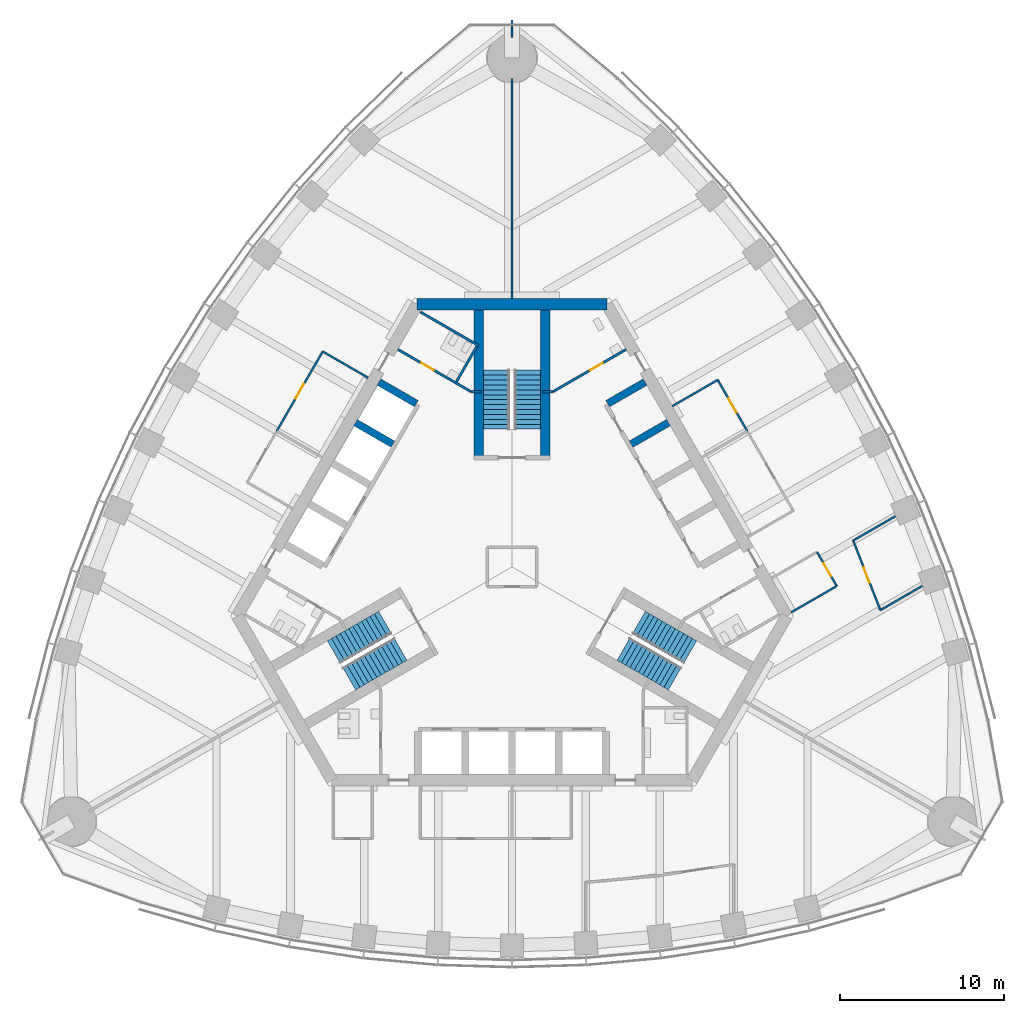
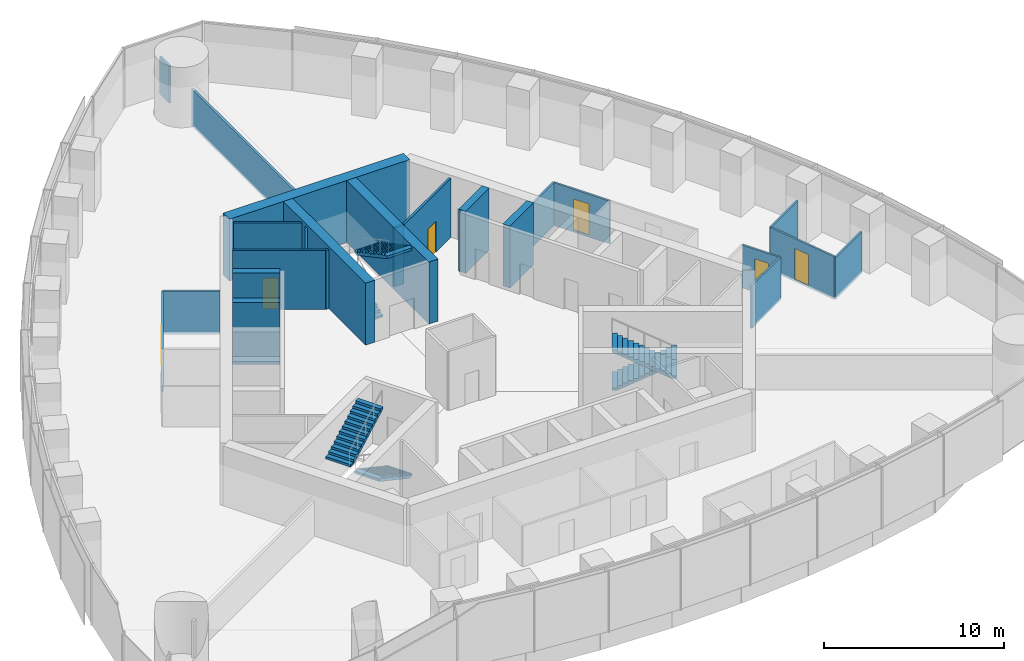
# One storey, part 10 of 14: 24 walls, 6 doors, 6 stair flights, 6 openings, 3 elements without a shape of their own.
"""IFC4 building model written with IfcOpenShell, lengths in metres."""

from ifc_helpers import new_model, si_unit, direction, frame, frame_2d, origin, place, context, subcontext, project, spatial, polyline, rectangle, outline, extrude, material, layer, layer_set, type_object, element, fill, aggregate, save


model = new_model("IFC4")

# Units and contexts
model_context = context("Model", 3, precision=1e-05, world=origin(), true_north=direction((0.0, 1.0)))
body_context = subcontext(model_context, "Body", "Model", "MODEL_VIEW")
ifc_project = project(units=[si_unit("LENGTHUNIT", "METRE"), si_unit("AREAUNIT", "SQUARE_METRE"), si_unit("VOLUMEUNIT", "CUBIC_METRE"), si_unit("PLANEANGLEUNIT", "RADIAN"), si_unit("MASSUNIT", "GRAM", prefix="KILO")], contexts=[model_context])

# Site, building, storey
site_placement = place(None, origin())
site = spatial("IfcSite", under=ifc_project, at=site_placement, CompositionType="ELEMENT")
building_placement = place(site_placement, origin())
building = spatial("IfcBuilding", under=site, at=building_placement, Name="Trefoil Bronze Tower", CompositionType="ELEMENT")
storey_placement = place(building_placement, frame((0.0, 0.0, 280.5)))
storey = spatial("IfcBuildingStorey", under=building, at=storey_placement, Name="L64", CompositionType="ELEMENT", Elevation=280.5)

# Wall
ifc_material_1 = material(Name="Concrete B80", Category="concrete")
ifc_layer_1 = layer(ifc_material_1, 0.699951171875)
ifc_layer_set_1 = layer_set([ifc_layer_1], Name="Core wall 700")
wall_type_1 = type_object("IfcWallType", Name="Core wall 700", PredefinedType="SHEAR", material=ifc_layer_set_1)
wall_1_placement = place(storey_placement, frame((5.7734375, 16.0, 0.0), z_axis=(0.0, 0.0, 1.0), x_axis=(-1.0, 0.0, 0.0)))
element("IfcWall", 1, at=wall_1_placement, inside=storey, type_object=wall_type_1, Name="Core short wall 2 L64", PredefinedType="SHEAR", context=body_context, shape_type="SweptSolid", body=[
    extrude(rectangle(XDim=11.546875, YDim=0.699951171875, at=frame_2d((5.7734375, 0.0))), origin(), (0.0, 0.0, 1.0), 4.199951171875),
])

# Wall, opening, door
ifc_material_2 = material(Name="Glazed partition", Category="glass")
ifc_layer_2 = layer(ifc_material_2, 0.1201171875)
ifc_layer_set_2 = layer_set([ifc_layer_2], Name="Glazed partition 120")
wall_type_2 = type_object("IfcWallType", Name="Glazed partition 120", PredefinedType="PARTITIONING", material=ifc_layer_set_2)
wall_2_placement = place(storey_placement, frame((14.332763671875, 8.27490234375, 0.0), z_axis=(0.0, 0.0, 1.0), x_axis=(-0.500012057535, 0.866018442252, 0.0)))
wall_2 = element("IfcWall", 2, at=wall_2_placement, inside=storey, type_object=wall_type_2, Name="Partition F2 L64", PredefinedType="PARTITIONING", context=body_context, shape_type="SweptSolid", body=[
    extrude(rectangle(XDim=3.60009765625, YDim=0.1201171875, at=frame_2d((1.800048828125, 0.0))), origin(), (0.0, 0.0, 1.0), 2.89990234375),
])
opening_1_placement = place(wall_2_placement, frame((1.300048828125, 0.0, 0.14990234375)))
opening_1 = element("IfcOpeningElement", 3, at=opening_1_placement, cuts=wall_2, Name="Opening D9", PredefinedType="OPENING", context=body_context, shape_type="SweptSolid", body=[
    extrude(rectangle(XDim=1.0, YDim=2.10009765625, at=frame_2d((0.5, 1.050048828125))), frame((0.0, 0.070068359375, 0.0), z_axis=(0.0, -1.0, 0.0), x_axis=(1.0, 0.0, 0.0)), (0.0, 0.0, 1.0), 0.14013671875),
])
ifc_material_3 = material(Name="Glazed timber door", Category="wood")
door_type_1 = type_object("IfcDoorType", Name="Meeting room door 1000", OperationType="SINGLE_SWING_LEFT", PredefinedType="DOOR", material=ifc_material_3)
door_1_placement = place(opening_1_placement, origin())
door_1 = element("IfcDoor", 4, at=door_1_placement, inside=storey, type_object=door_type_1, Name="Meeting room door F2 L64", OperationType="SINGLE_SWING_LEFT", OverallHeight=2.10009765625, OverallWidth=1.0, PredefinedType="DOOR", context=body_context, shape_type="SweptSolid", body=[
    extrude(rectangle(XDim=1.0, YDim=2.10009765625, at=frame_2d((0.5, 1.050048828125))), frame((0.0, 0.02490234375, 0.0), z_axis=(0.0, -1.0, 0.0), x_axis=(1.0, 0.0, 0.0)), (0.0, 0.0, 1.0), 0.050048828125),
])
fill(opening_1, door_1)

wall_3_placement = place(storey_placement, frame((19.78271484375, -1.164794921875, 0.0), z_axis=(0.0, 0.0, 1.0), x_axis=(-0.499957262057, 0.866050077142, 0.0)))
wall_3 = element("IfcWall", 5, at=wall_3_placement, inside=storey, type_object=wall_type_2, Name="Partition F2 L64", PredefinedType="PARTITIONING", context=body_context, shape_type="SweptSolid", body=[
    extrude(rectangle(XDim=2.400146484375, YDim=0.1201171875, at=frame_2d((1.2001953125, 0.0))), origin(), (0.0, 0.0, 1.0), 2.89990234375),
])
opening_2_placement = place(wall_3_placement, frame((0.699951171875, 0.0, 0.14990234375)))
opening_2 = element("IfcOpeningElement", 6, at=opening_2_placement, cuts=wall_3, Name="Opening D8", PredefinedType="OPENING", context=body_context, shape_type="SweptSolid", body=[
    extrude(rectangle(XDim=0.89990234375, YDim=2.10009765625, at=frame_2d((0.449951171875, 1.050048828125))), frame((0.0, 0.070068359375, 0.0), z_axis=(0.0, -1.0, 0.0), x_axis=(1.0, 0.0, 0.0)), (0.0, 0.0, 1.0), 0.14013671875),
])
ifc_material_4 = material(Name="Timber door", Category="wood")
door_type_2 = type_object("IfcDoorType", Name="Office door 900", OperationType="SINGLE_SWING_LEFT", PredefinedType="DOOR", material=ifc_material_4)
door_2_placement = place(opening_2_placement, origin())
door_2 = element("IfcDoor", 7, at=door_2_placement, inside=storey, type_object=door_type_2, Name="Comms room door F2 L64", OperationType="SINGLE_SWING_LEFT", OverallHeight=2.10009765625, OverallWidth=0.89990234375, PredefinedType="DOOR", context=body_context, shape_type="SweptSolid", body=[
    extrude(rectangle(XDim=0.89990234375, YDim=2.10009765625, at=frame_2d((0.449951171875, 1.050048828125))), frame((0.0, 0.02490234375, 0.0), z_axis=(0.0, -1.0, 0.0), x_axis=(1.0, 0.0, 0.0)), (0.0, 0.0, 1.0), 0.050048828125),
])
fill(opening_2, door_2)

# Walls
for number, where, z_axis, x_axis, name in (
    (8, (9.761474609375, 9.792724609375, 0.0), (0.0, 0.0, 1.0), (0.866042017984, 0.499971222258, 0.0), "Partition F2 L64"),
    (9, (17.011474609375, -2.7646484375, 0.0), (0.0, 0.0, 1.0), (0.866042017984, 0.499971222258, 0.0), "Partition F2 L64"),
):
    element("IfcWall", number, at=place(storey_placement, frame(where, z_axis=z_axis, x_axis=x_axis)), inside=storey, type_object=wall_type_2, Name=name, PredefinedType="PARTITIONING", context=body_context, shape_type="SweptSolid", body=[
        extrude(rectangle(XDim=3.199951171875, YDim=0.1201171875, at=frame_2d((1.60009765625, 0.0))), origin(), (0.0, 0.0, 1.0), 2.89990234375),
    ])

# Wall, opening, door
wall_4_placement = place(storey_placement, frame((22.439208984375, -2.63330078125, 0.0), z_axis=(0.0, 0.0, 1.0), x_axis=(-0.363212149153, 0.931706463811, 0.0)))
wall_4 = element("IfcWall", 10, at=wall_4_placement, inside=storey, type_object=wall_type_2, Name="Partition F2 L64", PredefinedType="PARTITIONING", context=body_context, shape_type="SweptSolid", body=[
    extrude(rectangle(XDim=4.552734375, YDim=0.1201171875, at=frame_2d((2.2763671875, 0.0))), origin(), (0.0, 0.0, 1.0), 2.89990234375),
])
opening_3_placement = place(wall_4_placement, frame((1.800048828125, 0.0, 0.14990234375)))
opening_3 = element("IfcOpeningElement", 11, at=opening_3_placement, cuts=wall_4, Name="Opening D9", PredefinedType="OPENING", context=body_context, shape_type="SweptSolid", body=[
    extrude(rectangle(XDim=1.0, YDim=2.10009765625, at=frame_2d((0.5, 1.050048828125))), frame((0.0, 0.070068359375, 0.0), z_axis=(0.0, -1.0, 0.0), x_axis=(1.0, 0.0, 0.0)), (0.0, 0.0, 1.0), 0.14013671875),
])
door_3_placement = place(opening_3_placement, frame((1.0, 0.0, 0.0), z_axis=(0.0, 0.0, 1.0), x_axis=(-1.0, 0.0, 0.0)))
door_3 = element("IfcDoor", 12, at=door_3_placement, inside=storey, type_object=door_type_1, Name="Meeting room door F2 L64", OperationType="SINGLE_SWING_LEFT", OverallHeight=2.10009765625, OverallWidth=1.0, PredefinedType="DOOR", context=body_context, shape_type="SweptSolid", body=[
    extrude(rectangle(XDim=1.0, YDim=2.10009765625, at=frame_2d((0.5, 1.050048828125))), frame((0.0, 0.02490234375, 0.0), z_axis=(0.0, -1.0, 0.0), x_axis=(1.0, 0.0, 0.0)), (0.0, 0.0, 1.0), 0.050048828125),
])
fill(opening_3, door_3)

# Walls
wall_5_placement = place(storey_placement, frame((22.439208984375, -2.63330078125, 0.0), z_axis=(0.0, 0.0, 1.0), x_axis=(0.866019881867, 0.500009564119, 0.0)))
element("IfcWall", 13, at=wall_5_placement, inside=storey, type_object=wall_type_2, Name="Partition F2 L64", PredefinedType="PARTITIONING", context=body_context, shape_type="SweptSolid", body=[
    extrude(rectangle(XDim=2.9443359375, YDim=0.1201171875, at=frame_2d((1.47216796875, 0.0))), origin(), (0.0, 0.0, 1.0), 2.800048828125),
])
wall_6_placement = place(storey_placement, frame((20.78564453125, 1.6083984375, 0.0), z_axis=(0.0, 0.0, 1.0), x_axis=(0.866056430242, 0.499946256749, 0.0)))
element("IfcWall", 14, at=wall_6_placement, inside=storey, type_object=wall_type_2, Name="Partition F2 L64", PredefinedType="PARTITIONING", context=body_context, shape_type="SweptSolid", body=[
    extrude(rectangle(XDim=2.958740234375, YDim=0.1201171875, at=frame_2d((1.4794921875, 0.0))), origin(), (0.0, 0.0, 1.0), 2.89990234375),
])

# Wall, opening, door
wall_7_placement = place(storey_placement, frame((-11.53271484375, 13.124755859375, 0.0), z_axis=(0.0, 0.0, 1.0), x_axis=(-0.49999793692, -0.866026594901, 0.0)))
wall_7 = element("IfcWall", 15, at=wall_7_placement, inside=storey, type_object=wall_type_2, Name="Partition F3 L64", PredefinedType="PARTITIONING", context=body_context, shape_type="SweptSolid", body=[
    extrude(rectangle(XDim=5.60009765625, YDim=0.1201171875, at=frame_2d((2.800048828125, 0.0))), origin(), (0.0, 0.0, 1.0), 2.89990234375),
])
opening_4_placement = place(wall_7_placement, frame((2.300048828125, 0.0, 0.14990234375)))
opening_4 = element("IfcOpeningElement", 16, at=opening_4_placement, cuts=wall_7, Name="Opening D9", PredefinedType="OPENING", context=body_context, shape_type="SweptSolid", body=[
    extrude(rectangle(XDim=1.0, YDim=2.10009765625, at=frame_2d((0.5, 1.050048828125))), frame((0.0, 0.070068359375, 0.0), z_axis=(0.0, -1.0, 0.0), x_axis=(1.0, 0.0, 0.0)), (0.0, 0.0, 1.0), 0.14013671875),
])
door_4_placement = place(opening_4_placement, origin())
door_4 = element("IfcDoor", 17, at=door_4_placement, inside=storey, type_object=door_type_1, Name="Meeting room door F3 L64", OperationType="SINGLE_SWING_RIGHT", OverallHeight=2.10009765625, OverallWidth=1.0, PredefinedType="DOOR", context=body_context, shape_type="SweptSolid", body=[
    extrude(rectangle(XDim=1.0, YDim=2.10009765625, at=frame_2d((0.5, 1.050048828125))), frame((0.0, 0.02490234375, 0.0), z_axis=(0.0, -1.0, 0.0), x_axis=(1.0, 0.0, 0.0)), (0.0, 0.0, 1.0), 0.050048828125),
])
fill(opening_4, door_4)

# Walls
wall_8_placement = place(storey_placement, frame((-8.761474609375, 11.524658203125, 0.0), z_axis=(0.0, 0.0, 1.0), x_axis=(-0.866008981251, 0.500028443584, 0.0)))
element("IfcWall", 18, at=wall_8_placement, inside=storey, type_object=wall_type_2, Name="Partition F3 L64", PredefinedType="PARTITIONING", context=body_context, shape_type="SweptSolid", body=[
    extrude(rectangle(XDim=3.199951171875, YDim=0.1201171875, at=frame_2d((1.60009765625, 0.0))), origin(), (0.0, 0.0, 1.0), 2.89990234375),
])
ifc_material_5 = material(Name="Concrete B80", Category="concrete")
ifc_layer_3 = layer(ifc_material_5, 0.449951171875)
ifc_layer_set_3 = layer_set([ifc_layer_3], Name="Outrigger shaft wall 450")
wall_type_3 = type_object("IfcWallType", Name="Outrigger shaft wall 450", PredefinedType="SHEAR", material=ifc_layer_set_3)
for number, where, z_axis, x_axis, name in (
    (19, (7.2568359375, 7.480712890625, 0.0), (0.0, 0.0, 1.0), (0.866036909293, 0.499980071345, 0.0), "Lift shaft side wall B3 L64"),
    (20, (5.831787109375, 9.94873046875, 0.0), (0.0, 0.0, 1.0), (0.866036909293, 0.499980071345, 0.0), "Lift shaft side wall B4 L64"),
    (21, (-5.831787109375, 9.94873046875, 0.0), (0.0, 0.0, 1.0), (-0.866036909293, 0.499980071345, 0.0), "Lift shaft side wall C0 L64"),
    (22, (-7.2568359375, 7.480712890625, 0.0), (0.0, 0.0, 1.0), (-0.866036909293, 0.499980071345, 0.0), "Lift shaft side wall C1 L64"),
):
    element("IfcWall", number, at=place(storey_placement, frame(where, z_axis=z_axis, x_axis=x_axis)), inside=storey, type_object=wall_type_3, Name=name, PredefinedType="SHEAR", context=body_context, shape_type="SweptSolid", body=[
        extrude(rectangle(XDim=2.625, YDim=0.449951171875, at=frame_2d((1.3125, 0.0))), origin(), (0.0, 0.0, 1.0), 4.199951171875),
    ])

# Wall, opening, door
ifc_material_6 = material(Name="Gypsum board on steel studs", Category="steel")
ifc_layer_4 = layer(ifc_material_6, 0.14990234375)
ifc_layer_set_4 = layer_set([ifc_layer_4], Name="Partition 150")
wall_type_4 = type_object("IfcWallType", Name="Partition 150", PredefinedType="PARTITIONING", material=ifc_layer_set_4)
wall_9_placement = place(storey_placement, frame((2.4951171875, 10.67822265625, 0.0), z_axis=(0.0, 0.0, 1.0), x_axis=(0.866037967349, 0.499978238636, 0.0)))
wall_9 = element("IfcWall", 23, at=wall_9_placement, inside=storey, type_object=wall_type_4, Name="Passage wall F2+ L64", PredefinedType="PARTITIONING", context=body_context, shape_type="SweptSolid", body=[
    extrude(rectangle(XDim=5.150146484375, YDim=0.14990234375, at=frame_2d((2.5751953125, 0.0))), origin(), (0.0, 0.0, 1.0), 4.0),
])
opening_5_placement = place(wall_9_placement, frame((2.60009765625, 0.0, 0.0)))
opening_5 = element("IfcOpeningElement", 24, at=opening_5_placement, cuts=wall_9, Name="Opening D3", PredefinedType="OPENING", context=body_context, shape_type="SweptSolid", body=[
    extrude(rectangle(XDim=0.89990234375, YDim=2.10009765625, at=frame_2d((0.449951171875, 1.050048828125))), frame((0.0, 0.0849609375, 0.0), z_axis=(0.0, -1.0, 0.0), x_axis=(1.0, 0.0, 0.0)), (0.0, 0.0, 1.0), 0.169921875),
])
ifc_material_7 = material(Name="Timber door", Category="wood")
door_type_3 = type_object("IfcDoorType", Name="WC door 900", OperationType="SINGLE_SWING_LEFT", PredefinedType="DOOR", material=ifc_material_7)
door_5_placement = place(opening_5_placement, origin())
door_5 = element("IfcDoor", 25, at=door_5_placement, inside=storey, type_object=door_type_3, Name="Accessible WC door L64", OperationType="SINGLE_SWING_RIGHT", OverallHeight=2.10009765625, OverallWidth=0.89990234375, PredefinedType="DOOR", context=body_context, shape_type="SweptSolid", body=[
    extrude(rectangle(XDim=0.89990234375, YDim=2.10009765625, at=frame_2d((0.449951171875, 1.050048828125))), frame((0.0, 0.02490234375, 0.0), z_axis=(0.0, -1.0, 0.0), x_axis=(1.0, 0.0, 0.0)), (0.0, 0.0, 1.0), 0.050048828125),
])
fill(opening_5, door_5)

wall_10_placement = place(storey_placement, frame((-2.4951171875, 10.67822265625, 0.0), z_axis=(0.0, 0.0, 1.0), x_axis=(-0.866037967349, 0.499978238636, 0.0)))
wall_10 = element("IfcWall", 26, at=wall_10_placement, inside=storey, type_object=wall_type_4, Name="Passage wall F3- L64", PredefinedType="PARTITIONING", context=body_context, shape_type="SweptSolid", body=[
    extrude(rectangle(XDim=5.150146484375, YDim=0.14990234375, at=frame_2d((2.5751953125, 0.0))), origin(), (0.0, 0.0, 1.0), 4.0),
])
opening_6_placement = place(wall_10_placement, frame((2.60009765625, 0.0, 0.0)))
opening_6 = element("IfcOpeningElement", 27, at=opening_6_placement, cuts=wall_10, Name="Opening D3", PredefinedType="OPENING", context=body_context, shape_type="SweptSolid", body=[
    extrude(rectangle(XDim=0.89990234375, YDim=2.10009765625, at=frame_2d((0.449951171875, 1.050048828125))), frame((0.0, 0.0849609375, 0.0), z_axis=(0.0, -1.0, 0.0), x_axis=(1.0, 0.0, 0.0)), (0.0, 0.0, 1.0), 0.169921875),
])
door_6_placement = place(opening_6_placement, frame((0.89990234375, 0.0, 0.0), z_axis=(0.0, 0.0, 1.0), x_axis=(-1.0, 0.0, 0.0)))
door_6 = element("IfcDoor", 28, at=door_6_placement, inside=storey, type_object=door_type_3, Name="WC (women) door L64", OperationType="SINGLE_SWING_RIGHT", OverallHeight=2.10009765625, OverallWidth=0.89990234375, PredefinedType="DOOR", context=body_context, shape_type="SweptSolid", body=[
    extrude(rectangle(XDim=0.89990234375, YDim=2.10009765625, at=frame_2d((0.449951171875, 1.050048828125))), frame((0.0, 0.02490234375, 0.0), z_axis=(0.0, -1.0, 0.0), x_axis=(1.0, 0.0, 0.0)), (0.0, 0.0, 1.0), 0.050048828125),
])
fill(opening_6, door_6)

# Walls
for number, where, z_axis, x_axis, name in (
    (29, (2.4951171875, 10.67822265625, 0.0), (0.0, 0.0, 1.0), (-1.0, 0.0, 0.0), "WC wall ST2-1 L64"),
    (30, (-2.4951171875, 10.67822265625, 0.0), (0.0, 0.0, 1.0), (1.0, 0.0, 0.0), "WC wall ST2+1 L64"),
):
    element("IfcWall", number, at=place(storey_placement, frame(where, z_axis=z_axis, x_axis=x_axis)), inside=storey, type_object=wall_type_4, Name=name, PredefinedType="PARTITIONING", context=body_context, shape_type="SweptSolid", body=[
        extrude(rectangle(XDim=0.64501953125, YDim=0.14990234375, at=frame_2d((0.322509765625, 0.0))), origin(), (0.0, 0.0, 1.0), 4.0),
    ])
wall_11_placement = place(storey_placement, frame((-2.03125, 13.48193359375, 0.0), z_axis=(0.0, 0.0, 1.0), x_axis=(-0.866050731258, 0.499956128963, 0.0)))
element("IfcWall", 31, at=wall_11_placement, inside=storey, type_object=wall_type_4, Name="WC partition WC (women) L64", PredefinedType="PARTITIONING", context=body_context, shape_type="SweptSolid", body=[
    extrude(rectangle(XDim=4.099853515625, YDim=0.14990234375, at=frame_2d((2.0498046875, 0.0))), origin(), (0.0, 0.0, 1.0), 4.0),
])
wall_12_placement = place(storey_placement, frame((-3.388671875, 11.28076171875, 0.0), z_axis=(0.0, 0.0, 1.0), x_axis=(0.499989096993, 0.866031698547, 0.0)))
element("IfcWall", 32, at=wall_12_placement, inside=storey, type_object=wall_type_4, Name="WC partition WC (women) L64", PredefinedType="PARTITIONING", context=body_context, shape_type="SweptSolid", body=[
    extrude(rectangle(XDim=2.509765625, YDim=0.14990234375, at=frame_2d((1.2548828125, 0.0))), origin(), (0.0, 0.0, 1.0), 4.0),
])
ifc_material_8 = material(Name="Gypsum board on steel studs", Category="steel")
ifc_layer_5 = layer(ifc_material_8, 0.14990234375)
ifc_layer_set_5 = layer_set([ifc_layer_5], Name="Party wall 150")
wall_type_5 = type_object("IfcWallType", Name="Party wall 150", PredefinedType="PARTITIONING", material=ifc_layer_set_5)
wall_13_placement = place(storey_placement, frame((0.0, 16.35009765625, 0.0), z_axis=(0.0, 0.0, 1.0), x_axis=(0.0, 1.0, 0.0)))
element("IfcWall", 33, at=wall_13_placement, inside=storey, type_object=wall_type_5, Name="Party wall K2 L64", PredefinedType="PARTITIONING", context=body_context, shape_type="SweptSolid", body=[
    extrude(rectangle(XDim=13.39990234375, YDim=0.14990234375, at=frame_2d((6.699951171875, 0.0))), origin(), (0.0, 0.0, 1.0), 2.5),
])
wall_14_placement = place(storey_placement, frame((0.0, 32.25, 0.0), z_axis=(0.0, 0.0, 1.0), x_axis=(0.0, 1.0, 0.0)))
element("IfcWall", 34, at=wall_14_placement, inside=storey, type_object=wall_type_5, Name="Party wall K2 L64", PredefinedType="PARTITIONING", context=body_context, shape_type="SweptSolid", body=[
    extrude(rectangle(XDim=1.06982421875, YDim=0.14990234375, at=frame_2d((0.534912109375, 0.0))), origin(), (0.0, 0.0, 1.0), 2.5),
])
ifc_material_9 = material(Name="Concrete B80", Category="concrete")
ifc_layer_6 = layer(ifc_material_9, 0.60009765625)
ifc_layer_set_6 = layer_set([ifc_layer_6], Name="Stair wall 600")
wall_type_6 = type_object("IfcWallType", Name="Stair wall 600", PredefinedType="SHEAR", material=ifc_layer_set_6)
for number, where, z_axis, x_axis, name in (
    (35, (2.02490234375, 6.52490234375, 0.0), (0.0, 0.0, 1.0), (0.0, 1.0, 0.0), "Stair wall ST2 L64"),
    (36, (-2.02490234375, 6.52490234375, 0.0), (0.0, 0.0, 1.0), (0.0, 1.0, 0.0), "Stair wall ST2 L64"),
):
    element("IfcWall", number, at=place(storey_placement, frame(where, z_axis=z_axis, x_axis=x_axis)), inside=storey, type_object=wall_type_6, Name=name, PredefinedType="SHEAR", context=body_context, shape_type="SweptSolid", body=[
        extrude(rectangle(XDim=9.125, YDim=0.60009765625, at=frame_2d((4.5625, 0.0))), origin(), (0.0, 0.0, 1.0), 4.199951171875),
    ])

# Stair, stair flights
ifc_material_10 = material(Name="Precast concrete B80", Category="concrete")
stair_type = type_object("IfcStairType", Name="Exit stair 26 risers", PredefinedType="HALF_TURN_STAIR", material=ifc_material_10)
stair_1_placement = place(storey_placement, origin())
stair_1 = element("IfcStair", 37, at=stair_1_placement, inside=storey, type_object=stair_type, Name="Stair ST1 L64", PredefinedType="HALF_TURN_STAIR")
ifc_material_11 = material(Name="Precast concrete B80", Category="concrete")
stair_flight_type = type_object("IfcStairFlightType", Name="Stair flight 1600", PredefinedType="STRAIGHT", material=ifc_material_11)
stair_flight_1_placement = place(storey_placement, frame((7.728515625, -3.39404296875, 0.0), z_axis=(0.0, 0.0, 1.0), x_axis=(0.866025403784, -0.5, 0.0)))
stair_flight_1 = element("IfcStairFlight", 38, at=stair_flight_1_placement, type_object=stair_flight_type, Name="ST1 flight 1", NumberOfRisers=13, NumberOfTreads=12, PredefinedType="STRAIGHT", RiserHeight=0.161538462, TreadLength=0.3, context=body_context, shape_type="SweptSolid", body=[
    extrude(outline(polyline([(0.0, 0.0), (0.0, 0.16162109375), (0.300048828125, 0.16162109375), (0.300048828125, 0.322998046875), (0.60009765625, 0.322998046875), (0.60009765625, 0.484619140625), (0.89990234375, 0.484619140625), (0.89990234375, 0.646240234375), (1.199951171875, 0.646240234375), (1.199951171875, 0.8076171875), (1.5, 0.8076171875), (1.5, 0.96923828125), (1.800048828125, 0.96923828125), (1.800048828125, 1.130859375), (2.10009765625, 1.130859375), (2.10009765625, 1.292236328125), (2.39990234375, 1.292236328125), (2.39990234375, 1.453857421875), (2.699951171875, 1.453857421875), (2.699951171875, 1.615478515625), (3.0, 1.615478515625), (3.0, 1.77685546875), (3.300048828125, 1.77685546875), (3.300048828125, 1.9384765625), (3.60009765625, 1.9384765625), (3.60009765625, 2.10009765625), (3.60009765625, 1.768310546875), (0.316162109375, 0.0), (0.0, 0.0)])), frame((0.0, 0.800048828125, 0.0), z_axis=(0.0, -1.0, 0.0), x_axis=(1.0, 0.0, 0.0)), (0.0, 0.0, 1.0), 1.60009765625),
])
stair_flight_2_placement = place(storey_placement, frame((9.921142578125, -6.796142578125, 2.10009765625), z_axis=(0.0, 0.0, 1.0), x_axis=(-0.866025403784, 0.5, 0.0)))
stair_flight_2 = element("IfcStairFlight", 39, at=stair_flight_2_placement, type_object=stair_flight_type, Name="ST1 flight 2", NumberOfRisers=13, NumberOfTreads=12, PredefinedType="STRAIGHT", RiserHeight=0.161538462, TreadLength=0.3, context=body_context, shape_type="SweptSolid", body=[
    extrude(outline(polyline([(0.0, 0.0), (0.0, 0.16162109375), (0.300048828125, 0.16162109375), (0.300048828125, 0.322998046875), (0.60009765625, 0.322998046875), (0.60009765625, 0.484619140625), (0.89990234375, 0.484619140625), (0.89990234375, 0.646240234375), (1.199951171875, 0.646240234375), (1.199951171875, 0.8076171875), (1.5, 0.8076171875), (1.5, 0.96923828125), (1.800048828125, 0.96923828125), (1.800048828125, 1.130859375), (2.10009765625, 1.130859375), (2.10009765625, 1.292236328125), (2.39990234375, 1.292236328125), (2.39990234375, 1.453857421875), (2.699951171875, 1.453857421875), (2.699951171875, 1.615478515625), (3.0, 1.615478515625), (3.0, 1.77685546875), (3.300048828125, 1.77685546875), (3.300048828125, 1.9384765625), (3.60009765625, 1.9384765625), (3.60009765625, 2.10009765625), (3.60009765625, 1.768310546875), (0.316162109375, 0.0), (0.0, 0.0)])), frame((0.0, 0.800048828125, 0.0), z_axis=(0.0, -1.0, 0.0), x_axis=(1.0, 0.0, 0.0)), (0.0, 0.0, 1.0), 1.60009765625),
])
aggregate(stair_1, [stair_flight_1, stair_flight_2])

stair_2_placement = place(storey_placement, origin())
stair_2 = element("IfcStair", 40, at=stair_2_placement, inside=storey, type_object=stair_type, Name="Stair ST2 L64", PredefinedType="HALF_TURN_STAIR")
stair_flight_3_placement = place(storey_placement, frame((-0.925048828125, 8.389892578125, 0.0), z_axis=(0.0, 0.0, 1.0), x_axis=(0.0, 1.0, 0.0)))
stair_flight_3 = element("IfcStairFlight", 41, at=stair_flight_3_placement, type_object=stair_flight_type, Name="ST2 flight 1", NumberOfRisers=13, NumberOfTreads=12, PredefinedType="STRAIGHT", RiserHeight=0.161538462, TreadLength=0.3, context=body_context, shape_type="SweptSolid", body=[
    extrude(outline(polyline([(0.0, 0.0), (0.0, 0.16162109375), (0.300048828125, 0.16162109375), (0.300048828125, 0.322998046875), (0.60009765625, 0.322998046875), (0.60009765625, 0.484619140625), (0.89990234375, 0.484619140625), (0.89990234375, 0.646240234375), (1.199951171875, 0.646240234375), (1.199951171875, 0.8076171875), (1.5, 0.8076171875), (1.5, 0.96923828125), (1.800048828125, 0.96923828125), (1.800048828125, 1.130859375), (2.10009765625, 1.130859375), (2.10009765625, 1.292236328125), (2.39990234375, 1.292236328125), (2.39990234375, 1.453857421875), (2.699951171875, 1.453857421875), (2.699951171875, 1.615478515625), (3.0, 1.615478515625), (3.0, 1.77685546875), (3.300048828125, 1.77685546875), (3.300048828125, 1.9384765625), (3.60009765625, 1.9384765625), (3.60009765625, 2.10009765625), (3.60009765625, 1.768310546875), (0.316162109375, 0.0), (0.0, 0.0)])), frame((0.0, 0.800048828125, 0.0), z_axis=(0.0, -1.0, 0.0), x_axis=(1.0, 0.0, 0.0)), (0.0, 0.0, 1.0), 1.60009765625),
])
stair_flight_4_placement = place(storey_placement, frame((0.925048828125, 11.989990234375, 2.10009765625), z_axis=(0.0, 0.0, 1.0), x_axis=(0.0, -1.0, 0.0)))
stair_flight_4 = element("IfcStairFlight", 42, at=stair_flight_4_placement, type_object=stair_flight_type, Name="ST2 flight 2", NumberOfRisers=13, NumberOfTreads=12, PredefinedType="STRAIGHT", RiserHeight=0.161538462, TreadLength=0.3, context=body_context, shape_type="SweptSolid", body=[
    extrude(outline(polyline([(0.0, 0.0), (0.0, 0.16162109375), (0.300048828125, 0.16162109375), (0.300048828125, 0.322998046875), (0.60009765625, 0.322998046875), (0.60009765625, 0.484619140625), (0.89990234375, 0.484619140625), (0.89990234375, 0.646240234375), (1.199951171875, 0.646240234375), (1.199951171875, 0.8076171875), (1.5, 0.8076171875), (1.5, 0.96923828125), (1.800048828125, 0.96923828125), (1.800048828125, 1.130859375), (2.10009765625, 1.130859375), (2.10009765625, 1.292236328125), (2.39990234375, 1.292236328125), (2.39990234375, 1.453857421875), (2.699951171875, 1.453857421875), (2.699951171875, 1.615478515625), (3.0, 1.615478515625), (3.0, 1.77685546875), (3.300048828125, 1.77685546875), (3.300048828125, 1.9384765625), (3.60009765625, 1.9384765625), (3.60009765625, 2.10009765625), (3.60009765625, 1.768310546875), (0.316162109375, 0.0), (0.0, 0.0)])), frame((0.0, 0.800048828125, 0.0), z_axis=(0.0, -1.0, 0.0), x_axis=(1.0, 0.0, 0.0)), (0.0, 0.0, 1.0), 1.60009765625),
])
aggregate(stair_2, [stair_flight_3, stair_flight_4])

stair_3_placement = place(storey_placement, origin())
stair_3 = element("IfcStair", 43, at=stair_3_placement, inside=storey, type_object=stair_type, Name="Stair ST3 L64", PredefinedType="HALF_TURN_STAIR")
stair_flight_5_placement = place(storey_placement, frame((-6.803466796875, -4.99609375, 0.0), z_axis=(0.0, 0.0, 1.0), x_axis=(-0.866025403784, -0.5, 0.0)))
stair_flight_5 = element("IfcStairFlight", 44, at=stair_flight_5_placement, type_object=stair_flight_type, Name="ST3 flight 1", NumberOfRisers=13, NumberOfTreads=12, PredefinedType="STRAIGHT", RiserHeight=0.161538462, TreadLength=0.3, context=body_context, shape_type="SweptSolid", body=[
    extrude(outline(polyline([(0.0, 0.0), (0.0, 0.16162109375), (0.300048828125, 0.16162109375), (0.300048828125, 0.322998046875), (0.60009765625, 0.322998046875), (0.60009765625, 0.484619140625), (0.89990234375, 0.484619140625), (0.89990234375, 0.646240234375), (1.199951171875, 0.646240234375), (1.199951171875, 0.8076171875), (1.5, 0.8076171875), (1.5, 0.96923828125), (1.800048828125, 0.96923828125), (1.800048828125, 1.130859375), (2.10009765625, 1.130859375), (2.10009765625, 1.292236328125), (2.39990234375, 1.292236328125), (2.39990234375, 1.453857421875), (2.699951171875, 1.453857421875), (2.699951171875, 1.615478515625), (3.0, 1.615478515625), (3.0, 1.77685546875), (3.300048828125, 1.77685546875), (3.300048828125, 1.9384765625), (3.60009765625, 1.9384765625), (3.60009765625, 2.10009765625), (3.60009765625, 1.768310546875), (0.316162109375, 0.0), (0.0, 0.0)])), frame((0.0, 0.800048828125, 0.0), z_axis=(0.0, -1.0, 0.0), x_axis=(1.0, 0.0, 0.0)), (0.0, 0.0, 1.0), 1.60009765625),
])
stair_flight_6_placement = place(storey_placement, frame((-10.84619140625, -5.19384765625, 2.10009765625), z_axis=(0.0, 0.0, 1.0), x_axis=(0.866025403784, 0.5, 0.0)))
stair_flight_6 = element("IfcStairFlight", 45, at=stair_flight_6_placement, type_object=stair_flight_type, Name="ST3 flight 2", NumberOfRisers=13, NumberOfTreads=12, PredefinedType="STRAIGHT", RiserHeight=0.161538462, TreadLength=0.3, context=body_context, shape_type="SweptSolid", body=[
    extrude(outline(polyline([(0.0, 0.0), (0.0, 0.16162109375), (0.300048828125, 0.16162109375), (0.300048828125, 0.322998046875), (0.60009765625, 0.322998046875), (0.60009765625, 0.484619140625), (0.89990234375, 0.484619140625), (0.89990234375, 0.646240234375), (1.199951171875, 0.646240234375), (1.199951171875, 0.8076171875), (1.5, 0.8076171875), (1.5, 0.96923828125), (1.800048828125, 0.96923828125), (1.800048828125, 1.130859375), (2.10009765625, 1.130859375), (2.10009765625, 1.292236328125), (2.39990234375, 1.292236328125), (2.39990234375, 1.453857421875), (2.699951171875, 1.453857421875), (2.699951171875, 1.615478515625), (3.0, 1.615478515625), (3.0, 1.77685546875), (3.300048828125, 1.77685546875), (3.300048828125, 1.9384765625), (3.60009765625, 1.9384765625), (3.60009765625, 2.10009765625), (3.60009765625, 1.768310546875), (0.316162109375, 0.0), (0.0, 0.0)])), frame((0.0, 0.800048828125, 0.0), z_axis=(0.0, -1.0, 0.0), x_axis=(1.0, 0.0, 0.0)), (0.0, 0.0, 1.0), 1.60009765625),
])
aggregate(stair_3, [stair_flight_5, stair_flight_6])

save(model, "model.ifc")
